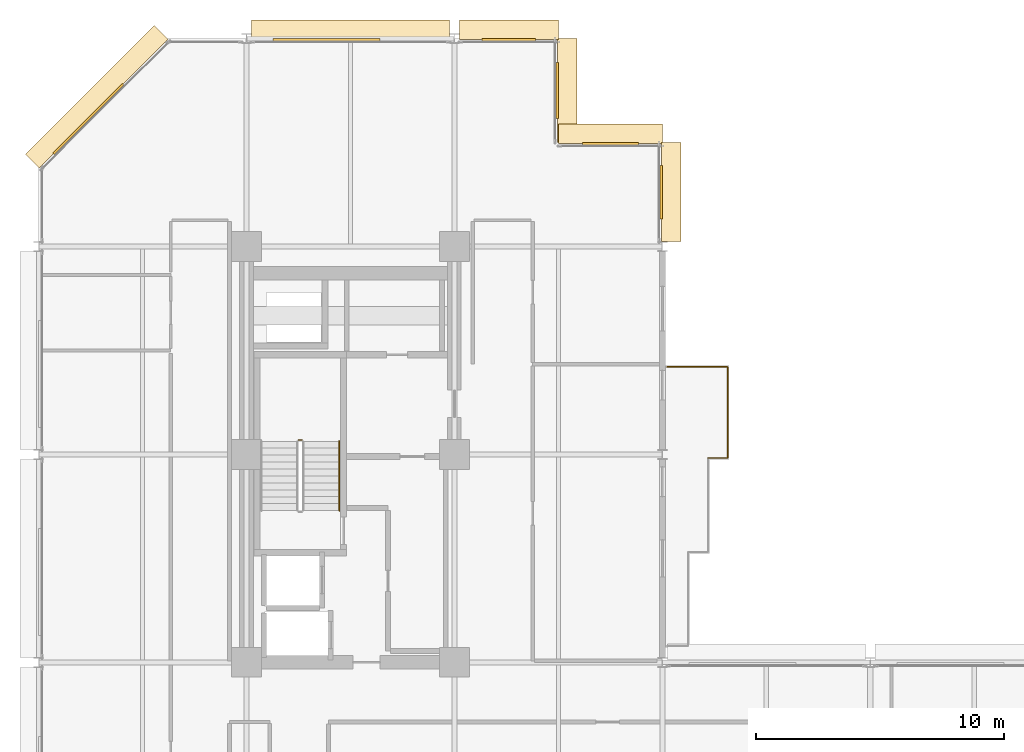
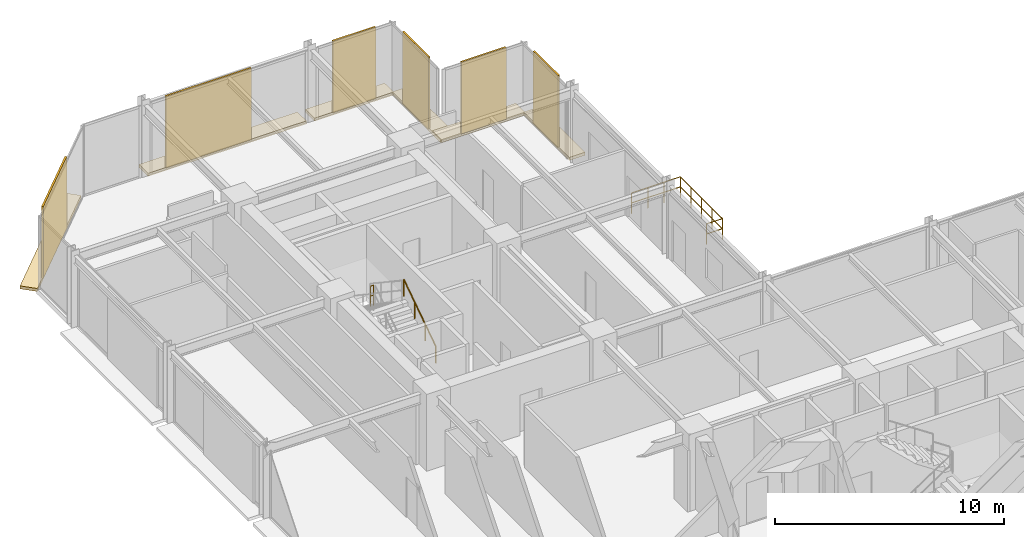
# One storey, part 30 of 30: 12 coverings, 5 railings.
"""IFC4 building model written with IfcOpenShell, lengths in metres."""

from ifc_helpers import new_model, si_unit, direction, frame, origin, origin_2d, place, context, subcontext, project, spatial, polyline, rectangle, circle, outline, extrude, material, layer, layer_set, type_object, element, save


model = new_model("IFC4")

# Units and contexts
model_context = context("Model", 3, precision=1e-05, world=origin(), true_north=direction((0.0, 1.0)))
body_context = subcontext(model_context, "Body", "Model", "MODEL_VIEW")
ifc_project = project(units=[si_unit("LENGTHUNIT", "METRE"), si_unit("AREAUNIT", "SQUARE_METRE"), si_unit("VOLUMEUNIT", "CUBIC_METRE"), si_unit("PLANEANGLEUNIT", "RADIAN"), si_unit("MASSUNIT", "GRAM", prefix="KILO")], contexts=[model_context])

# Site, building, storey
site_placement = place(None, origin())
site = spatial("IfcSite", under=ifc_project, at=site_placement, CompositionType="ELEMENT")
building_placement = place(site_placement, origin())
building = spatial("IfcBuilding", under=site, at=building_placement, Name="Nerrivon Quay Data Exchange", CompositionType="ELEMENT")
storey_placement = place(building_placement, frame((0.0, 0.0, 154.10009765625)))
storey = spatial("IfcBuildingStorey", under=building, at=storey_placement, Name="L36", CompositionType="ELEMENT", Elevation=154.10009765625)

# Coverings
ifc_material_1 = material(Name="Architectural terracotta ceramic", Category="masonry")
ifc_layer_1 = layer(ifc_material_1, 0.159912109375)
ifc_layer_set_1 = layer_set([ifc_layer_1], Name="Architectural terracotta ceramic")
covering_type_1 = type_object("IfcCoveringType", Name="COV-BLD-TERR", PredefinedType="CLADDING", material=ifc_layer_set_1)
covering_1_placement = place(storey_placement, frame((0.0, 0.0, -0.16015625)))
element("IfcCovering", 1, at=covering_1_placement, inside=storey, type_object=covering_type_1, Name="L36 Horizontal Terracotta SOLAR SCREEN Blade", PredefinedType="CLADDING", context=body_context, shape_type="SweptSolid", body=[
    extrude(outline(polyline([(0.0283203125, 45.171630859375), (5.228271484375, 50.37158203125), (4.669677734375, 50.930419921875), (-0.5302734375, 45.730224609375), (0.0283203125, 45.171630859375)])), origin(), (0.0, 0.0, 1.0), 0.16015625),
])
covering_2_placement = place(storey_placement, frame((0.0, 0.0, -0.16015625)))
element("IfcCovering", 2, at=covering_2_placement, inside=storey, type_object=covering_type_1, Name="L36 Horizontal Terracotta SOLAR SCREEN Blade", PredefinedType="CLADDING", context=body_context, shape_type="SweptSolid", body=[
    extrude(outline(polyline([(8.60009765625, 50.360107421875), (16.60009765625, 50.360107421875), (16.60009765625, 51.14990234375), (8.60009765625, 51.14990234375), (8.60009765625, 50.360107421875)])), origin(), (0.0, 0.0, 1.0), 0.16015625),
])
covering_3_placement = place(storey_placement, frame((0.0, 0.0, -0.16015625)))
element("IfcCovering", 3, at=covering_3_placement, inside=storey, type_object=covering_type_1, Name="L36 Horizontal Terracotta SOLAR SCREEN Blade", PredefinedType="CLADDING", context=body_context, shape_type="SweptSolid", body=[
    extrude(outline(polyline([(17.0, 50.360107421875), (21.0, 50.360107421875), (21.0, 51.14990234375), (17.0, 51.14990234375), (17.0, 50.360107421875)])), origin(), (0.0, 0.0, 1.0), 0.16015625),
])
covering_4_placement = place(storey_placement, frame((0.0, 0.0, -0.16015625)))
element("IfcCovering", 4, at=covering_4_placement, inside=storey, type_object=covering_type_1, Name="L36 Horizontal Terracotta SOLAR SCREEN Blade", PredefinedType="CLADDING", context=body_context, shape_type="SweptSolid", body=[
    extrude(outline(polyline([(20.9599609375, 50.39990234375), (20.9599609375, 46.199951171875), (21.75, 46.199951171875), (21.75, 50.39990234375), (20.9599609375, 50.39990234375)])), origin(), (0.0, 0.0, 1.0), 0.16015625),
])
covering_5_placement = place(storey_placement, frame((0.0, 0.0, -0.16015625)))
element("IfcCovering", 5, at=covering_5_placement, inside=storey, type_object=covering_type_1, Name="L36 Horizontal Terracotta SOLAR SCREEN Blade", PredefinedType="CLADDING", context=body_context, shape_type="SweptSolid", body=[
    extrude(outline(polyline([(21.0, 46.159912109375), (25.199951171875, 46.159912109375), (25.199951171875, 46.949951171875), (21.0, 46.949951171875), (21.0, 46.159912109375)])), origin(), (0.0, 0.0, 1.0), 0.16015625),
])
covering_6_placement = place(storey_placement, frame((0.0, 0.0, -0.16015625)))
element("IfcCovering", 6, at=covering_6_placement, inside=storey, type_object=covering_type_1, Name="L36 Horizontal Terracotta SOLAR SCREEN Blade", PredefinedType="CLADDING", context=body_context, shape_type="SweptSolid", body=[
    extrude(outline(polyline([(25.159912109375, 46.199951171875), (25.159912109375, 42.199951171875), (25.949951171875, 42.199951171875), (25.949951171875, 46.199951171875), (25.159912109375, 46.199951171875)])), origin(), (0.0, 0.0, 1.0), 0.16015625),
])
ifc_layer_2 = layer(ifc_material_1, 0.090087890625)
ifc_layer_set_2 = layer_set([ifc_layer_2], Name="Architectural terracotta ceramic")
covering_type_2 = type_object("IfcCoveringType", Name="COV-SCR-TERR", PredefinedType="CLADDING", material=ifc_layer_set_2)
covering_7_placement = place(storey_placement, frame((2.0078125, 47.144287109375, 0.0), z_axis=(0.0, 0.0, 1.0), x_axis=(0.707106781187, 0.707106781187, 0.0)))
element("IfcCovering", 7, at=covering_7_placement, inside=storey, type_object=covering_type_2, Name="L36 Perforated Terracotta SOLAR SCREEN Cassette", PredefinedType="CLADDING", context=body_context, shape_type="SweptSolid", body=[
    extrude(rectangle(XDim=3.970947265625, YDim=0.090087890625, at=origin_2d()), origin(), (0.0, 0.0, 1.0), 3.824951171875),
])
covering_8_placement = place(storey_placement, frame((11.639892578125, 50.35498046875, 0.0), z_axis=(0.0, 0.0, 1.0), x_axis=(1.0, 0.0, 0.0)))
element("IfcCovering", 8, at=covering_8_placement, inside=storey, type_object=covering_type_2, Name="L36 Perforated Terracotta SOLAR SCREEN Cassette", PredefinedType="CLADDING", context=body_context, shape_type="SweptSolid", body=[
    extrude(rectangle(XDim=4.320068359375, YDim=0.090087890625, at=origin_2d()), origin(), (0.0, 0.0, 1.0), 3.824951171875),
])
covering_9_placement = place(storey_placement, frame((19.0, 50.35498046875, 0.0), z_axis=(0.0, 0.0, 1.0), x_axis=(1.0, 0.0, 0.0)))
element("IfcCovering", 9, at=covering_9_placement, inside=storey, type_object=covering_type_2, Name="L36 Perforated Terracotta SOLAR SCREEN Cassette", PredefinedType="CLADDING", context=body_context, shape_type="SweptSolid", body=[
    extrude(rectangle(XDim=2.159912109375, YDim=0.090087890625, at=origin_2d()), origin(), (0.0, 0.0, 1.0), 3.824951171875),
])
for number, where, z_axis, x_axis, name in (
    (10, (20.955078125, 48.300048828125, 0.0), (0.0, 0.0, 1.0), (0.0, -1.0, 0.0), "L36 Perforated Terracotta SOLAR SCREEN Cassette"),
    (11, (23.10009765625, 46.155029296875, 0.0), (0.0, 0.0, 1.0), (1.0, 0.0, 0.0), "L36 Perforated Terracotta SOLAR SCREEN Cassette"),
):
    element("IfcCovering", number, at=place(storey_placement, frame(where, z_axis=z_axis, x_axis=x_axis)), inside=storey, type_object=covering_type_2, Name=name, PredefinedType="CLADDING", context=body_context, shape_type="SweptSolid", body=[
        extrude(rectangle(XDim=2.26806640625, YDim=0.090087890625, at=origin_2d()), origin(), (0.0, 0.0, 1.0), 3.824951171875),
    ])
covering_10_placement = place(storey_placement, frame((25.155029296875, 44.199951171875, 0.0), z_axis=(0.0, 0.0, 1.0), x_axis=(0.0, -1.0, 0.0)))
element("IfcCovering", 12, at=covering_10_placement, inside=storey, type_object=covering_type_2, Name="L36 Perforated Terracotta SOLAR SCREEN Cassette", PredefinedType="CLADDING", context=body_context, shape_type="SweptSolid", body=[
    extrude(rectangle(XDim=2.159912109375, YDim=0.090087890625, at=origin_2d()), origin(), (0.0, 0.0, 1.0), 3.824951171875),
])

# Railings
ifc_material_2 = material(Name="Steel Grade C350L0 (350 MPa)", Category="steel")
railing_type_1 = type_object("IfcRailingType", Name="RAIL-GUARD-GR2", PredefinedType="BALUSTRADE", material=ifc_material_2)
railing_1_placement = place(storey_placement, frame((25.3798828125, 37.139892578125, 0.0)))
element("IfcRailing", 13, at=railing_1_placement, inside=storey, type_object=railing_type_1, Name="L36 Verandah Balcony Guard 1.3 1", PredefinedType="BALUSTRADE", context=body_context, shape_type="SweptSolid", body=[
    extrude(circle(Radius=0.02392578125, at=origin_2d()), frame((0.0, 0.0, 1.09619140625), z_axis=(1.0, 0.0, 0.0), x_axis=(0.0, 1.0, 0.0)), (0.0, 0.0, 1.0), 2.460205078125),
    extrude(circle(Radius=0.02392578125, at=origin_2d()), frame((0.0, 0.0, 0.56005859375), z_axis=(1.0, 0.0, 0.0), x_axis=(0.0, 1.0, 0.0)), (0.0, 0.0, 1.0), 2.460205078125),
    extrude(circle(Radius=0.02099609375, at=origin_2d()), origin(), (0.0, 0.0, 1.0), 1.072021484375),
    extrude(circle(Radius=0.02099609375, at=origin_2d()), frame((0.820068359375, 0.0, 0.0)), (0.0, 0.0, 1.0), 1.072021484375),
    extrude(circle(Radius=0.02099609375, at=origin_2d()), frame((1.64013671875, 0.0, 0.0)), (0.0, 0.0, 1.0), 1.072021484375),
    extrude(circle(Radius=0.02099609375, at=origin_2d()), frame((2.460205078125, 0.0, 0.0)), (0.0, 0.0, 1.0), 1.072021484375),
])
railing_2_placement = place(storey_placement, frame((27.840087890625, 37.139892578125, 0.0)))
element("IfcRailing", 14, at=railing_2_placement, inside=storey, type_object=railing_type_1, Name="L36 Verandah Balcony Guard 1.4 1", PredefinedType="BALUSTRADE", context=body_context, shape_type="SweptSolid", body=[
    extrude(circle(Radius=0.02392578125, at=origin_2d()), frame((0.0, 0.0, 1.09619140625), z_axis=(0.0, -1.0, 0.0), x_axis=(1.0, 0.0, 0.0)), (0.0, 0.0, 1.0), 3.679931640625),
    extrude(circle(Radius=0.02392578125, at=origin_2d()), frame((0.0, 0.0, 0.56005859375), z_axis=(0.0, -1.0, 0.0), x_axis=(1.0, 0.0, 0.0)), (0.0, 0.0, 1.0), 3.679931640625),
    extrude(circle(Radius=0.02099609375, at=origin_2d()), origin(), (0.0, 0.0, 1.0), 1.072021484375),
    extrude(circle(Radius=0.02099609375, at=origin_2d()), frame((0.0, -0.919921875, 0.0)), (0.0, 0.0, 1.0), 1.072021484375),
    extrude(circle(Radius=0.02099609375, at=origin_2d()), frame((0.0, -1.83984375, 0.0)), (0.0, 0.0, 1.0), 1.072021484375),
    extrude(circle(Radius=0.02099609375, at=origin_2d()), frame((0.0, -2.760009765625, 0.0)), (0.0, 0.0, 1.0), 1.072021484375),
    extrude(circle(Radius=0.02099609375, at=origin_2d()), frame((0.0, -3.679931640625, 0.0)), (0.0, 0.0, 1.0), 1.072021484375),
])
railing_3_placement = place(storey_placement, frame((27.840087890625, 33.4599609375, 0.0)))
element("IfcRailing", 15, at=railing_3_placement, inside=storey, type_object=railing_type_1, Name="L36 Verandah Balcony Guard 1.5 1", PredefinedType="BALUSTRADE", context=body_context, shape_type="SweptSolid", body=[
    extrude(circle(Radius=0.02392578125, at=origin_2d()), frame((0.0, 0.0, 1.09619140625), z_axis=(-1.0, 0.0, 0.0), x_axis=(0.0, -1.0, 0.0)), (0.0, 0.0, 1.0), 0.800048828125),
    extrude(circle(Radius=0.02392578125, at=origin_2d()), frame((0.0, 0.0, 0.56005859375), z_axis=(-1.0, 0.0, 0.0), x_axis=(0.0, -1.0, 0.0)), (0.0, 0.0, 1.0), 0.800048828125),
    extrude(circle(Radius=0.02099609375, at=origin_2d()), origin(), (0.0, 0.0, 1.0), 1.072021484375),
    extrude(circle(Radius=0.02099609375, at=origin_2d()), frame((-0.800048828125, 0.0, 0.0)), (0.0, 0.0, 1.0), 1.072021484375),
])
railing_type_2 = type_object("IfcRailingType", Name="RAIL-HAND-HR1", PredefinedType="HANDRAIL", material=ifc_material_2)
railing_4_placement = place(storey_placement, frame((12.14990234375, 31.330078125, 0.186279296875)))
element("IfcRailing", 16, at=railing_4_placement, inside=storey, type_object=railing_type_2, Name="L36 ST01 stair handrail 1", PredefinedType="HANDRAIL", context=body_context, shape_type="SweptSolid", body=[
    extrude(circle(Radius=0.02392578125, at=origin_2d()), frame((0.0, 0.0, 0.8759765625), z_axis=(0.0, 0.832463268671, 0.554080234545), x_axis=(-1.0, 0.0, 0.0)), (0.0, 0.0, 1.0), 3.36328125),
    extrude(circle(Radius=0.02099609375, at=origin_2d()), origin(), (0.0, 0.0, 1.0), 0.851806640625),
    extrude(circle(Radius=0.02099609375, at=origin_2d()), frame((0.0, 0.933349609375, 0.62109375)), (0.0, 0.0, 1.0), 0.851806640625),
    extrude(circle(Radius=0.02099609375, at=origin_2d()), frame((0.0, 1.866455078125, 1.242431640625)), (0.0, 0.0, 1.0), 0.851806640625),
    extrude(circle(Radius=0.02099609375, at=origin_2d()), frame((0.0, 2.7998046875, 1.863525390625)), (0.0, 0.0, 1.0), 0.851806640625),
])
railing_type_3 = type_object("IfcRailingType", Name="RAIL-STAIR-GR1", PredefinedType="BALUSTRADE", material=ifc_material_2)
railing_5_placement = place(storey_placement, frame((10.64990234375, 34.179931640625, 2.0498046875)))
element("IfcRailing", 17, at=railing_5_placement, inside=storey, type_object=railing_type_3, Name="L36 ST01 stair guard 2", PredefinedType="BALUSTRADE", context=body_context, shape_type="SweptSolid", body=[
    extrude(circle(Radius=0.02392578125, at=origin_2d()), frame((0.0, 0.0, 1.076171875), z_axis=(-1.0, 0.0, 0.0), x_axis=(0.0, -1.0, 0.0)), (0.0, 0.0, 1.0), 0.14990234375),
    extrude(circle(Radius=0.02392578125, at=origin_2d()), frame((0.0, 0.0, 0.550048828125), z_axis=(-1.0, 0.0, 0.0), x_axis=(0.0, -1.0, 0.0)), (0.0, 0.0, 1.0), 0.14990234375),
    extrude(circle(Radius=0.02099609375, at=origin_2d()), origin(), (0.0, 0.0, 1.0), 1.052001953125),
    extrude(circle(Radius=0.02099609375, at=origin_2d()), frame((-0.14990234375, 0.0, 0.0)), (0.0, 0.0, 1.0), 1.052001953125),
])

save(model, "model.ifc")
